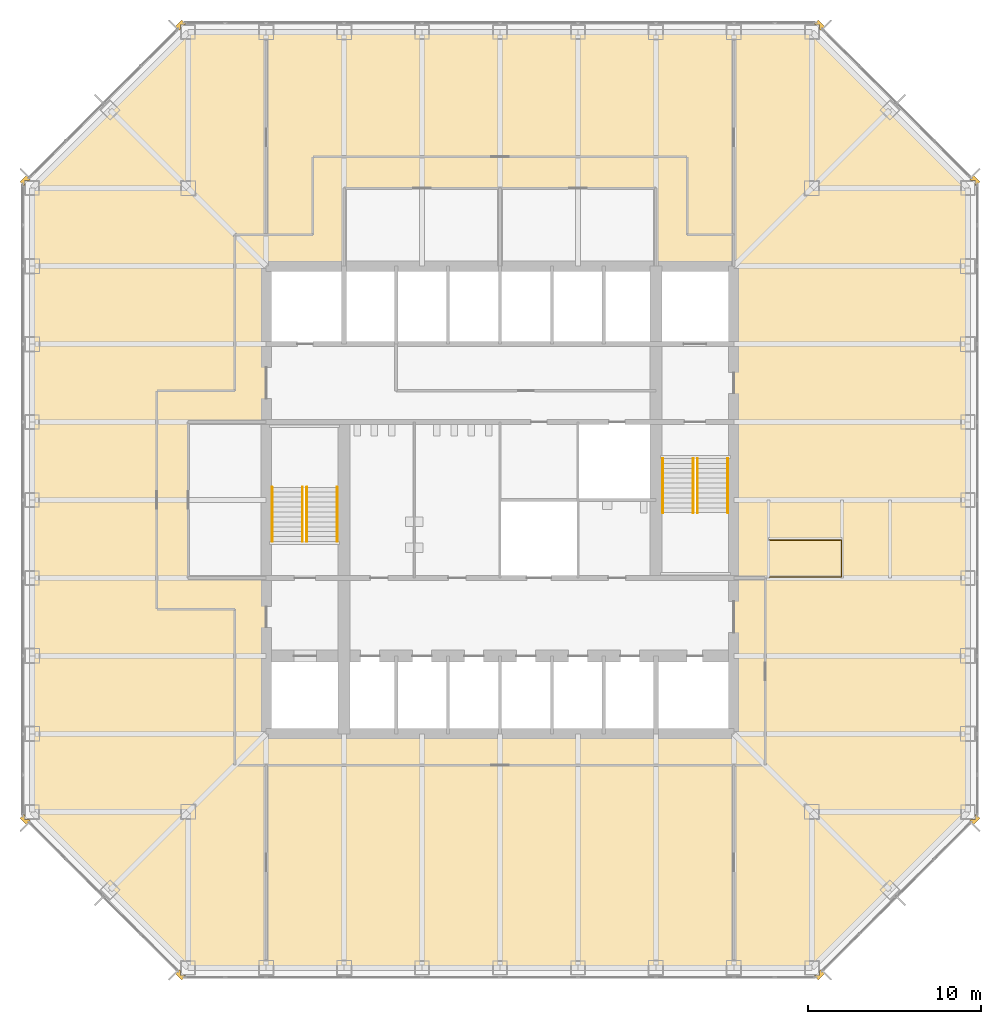
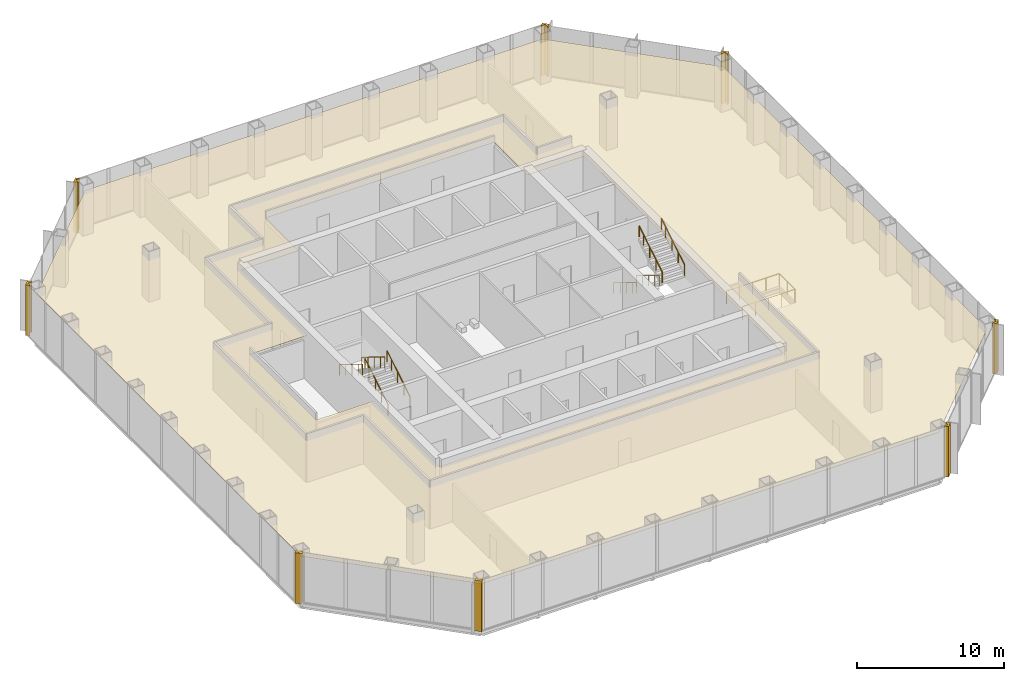
# One storey, part 11 of 12: 9 coverings, 9 railings.
"""IFC4 building model written with IfcOpenShell, lengths in metres."""

from ifc_helpers import new_model, si_unit, direction, frame, origin, origin_2d, place, context, subcontext, project, spatial, polyline, circle, outline, extrude, material, layer, layer_set, type_object, element, save


model = new_model("IFC4")

# Units and contexts
model_context = context("Model", 3, precision=1e-05, world=origin(), true_north=direction((0.0, 1.0)))
body_context = subcontext(model_context, "Body", "Model", "MODEL_VIEW")
ifc_project = project(units=[si_unit("LENGTHUNIT", "METRE"), si_unit("AREAUNIT", "SQUARE_METRE"), si_unit("VOLUMEUNIT", "CUBIC_METRE"), si_unit("PLANEANGLEUNIT", "RADIAN"), si_unit("MASSUNIT", "GRAM", prefix="KILO")], contexts=[model_context])

# Site, building, storey
site_placement = place(None, origin())
site = spatial("IfcSite", under=ifc_project, at=site_placement, CompositionType="ELEMENT")
building_placement = place(site_placement, origin())
building = spatial("IfcBuilding", under=site, at=building_placement, Name="Corais Broadcast Tower", CompositionType="ELEMENT")
storey_placement = place(building_placement, frame((0.0, 0.0, 41.60009765625)))
storey = spatial("IfcBuildingStorey", under=building, at=storey_placement, Name="L08", CompositionType="ELEMENT", Elevation=41.60009765625)

# Railings
ifc_material_1 = material(Name="Laminated glass and stainless steel guard", Category="steel")
railing_type_1 = type_object("IfcRailingType", Name="Glass guard 1100", PredefinedType="GUARDRAIL", material=ifc_material_1)
railing_placement = place(storey_placement, frame((42.550048828125, 22.550048828125, 0.0)))
element("IfcRailing", 1, at=railing_placement, inside=storey, type_object=railing_type_1, Name="GR1 guard L08", PredefinedType="GUARDRAIL", context=body_context, shape_type="SweptSolid", body=[
    extrude(circle(Radius=0.02392578125, at=origin_2d()), frame((0.0, 0.0, 1.076171875), z_axis=(1.0, 0.0, 0.0), x_axis=(0.0, 1.0, 0.0)), (0.0, 0.0, 1.0), 4.14990234375),
    extrude(circle(Radius=0.02392578125, at=origin_2d()), frame((4.14990234375, 0.0, 1.076171875), z_axis=(0.0, 1.0, 0.0), x_axis=(-1.0, 0.0, 0.0)), (0.0, 0.0, 1.0), 2.14990234375),
    extrude(circle(Radius=0.02392578125, at=origin_2d()), frame((4.14990234375, 2.14990234375, 1.076171875), z_axis=(-1.0, 0.0, 0.0), x_axis=(0.0, -1.0, 0.0)), (0.0, 0.0, 1.0), 4.14990234375),
    extrude(circle(Radius=0.02099609375, at=origin_2d()), origin(), (0.0, 0.0, 1.0), 1.052001953125),
    extrude(circle(Radius=0.02099609375, at=origin_2d()), frame((1.03759765625, 0.0, 0.0)), (0.0, 0.0, 1.0), 1.052001953125),
    extrude(circle(Radius=0.02099609375, at=origin_2d()), frame((2.074951171875, 0.0, 0.0)), (0.0, 0.0, 1.0), 1.052001953125),
    extrude(circle(Radius=0.02099609375, at=origin_2d()), frame((3.1123046875, 0.0, 0.0)), (0.0, 0.0, 1.0), 1.052001953125),
    extrude(circle(Radius=0.02099609375, at=origin_2d()), frame((4.14990234375, 0.0, 0.0)), (0.0, 0.0, 1.0), 1.052001953125),
    extrude(circle(Radius=0.02099609375, at=origin_2d()), frame((4.14990234375, 1.074951171875, 0.0)), (0.0, 0.0, 1.0), 1.052001953125),
    extrude(circle(Radius=0.02099609375, at=origin_2d()), frame((4.14990234375, 2.14990234375, 0.0)), (0.0, 0.0, 1.0), 1.052001953125),
    extrude(circle(Radius=0.02099609375, at=origin_2d()), frame((3.1123046875, 2.14990234375, 0.0)), (0.0, 0.0, 1.0), 1.052001953125),
    extrude(circle(Radius=0.02099609375, at=origin_2d()), frame((2.074951171875, 2.14990234375, 0.0)), (0.0, 0.0, 1.0), 1.052001953125),
    extrude(circle(Radius=0.02099609375, at=origin_2d()), frame((1.03759765625, 2.14990234375, 0.0)), (0.0, 0.0, 1.0), 1.052001953125),
    extrude(circle(Radius=0.02099609375, at=origin_2d()), frame((0.0, 2.14990234375, 0.0)), (0.0, 0.0, 1.0), 1.052001953125),
])
ifc_material_2 = material(Name="Stainless steel handrail", Category="steel")
railing_type_2 = type_object("IfcRailingType", Name="Handrail 920", PredefinedType="HANDRAIL", material=ifc_material_2)
for number, where, name in (
    (2, (17.60009765625, 24.60009765625, 0.1748046875), "HR1 L08"),
    (3, (15.85009765625, 24.60009765625, 0.1748046875), "HR1 L08"),
):
    element("IfcRailing", number, at=place(storey_placement, frame(where)), inside=storey, type_object=railing_type_2, Name=name, PredefinedType="HANDRAIL", context=body_context, shape_type="SweptSolid", body=[
        extrude(circle(Radius=0.02392578125, at=origin_2d()), frame((0.0, 0.0, 0.89599609375), z_axis=(0.0, 0.852166034122, 0.523271488128), x_axis=(-1.0, 0.0, 0.0)), (0.0, 0.0, 1.0), 3.678955078125),
        extrude(circle(Radius=0.02099609375, at=origin_2d()), origin(), (0.0, 0.0, 1.0), 0.871826171875),
        extrude(circle(Radius=0.02099609375, at=origin_2d()), frame((0.0, 0.85498046875, 0.52490234375)), (0.0, 0.0, 1.0), 0.871826171875),
        extrude(circle(Radius=0.02099609375, at=origin_2d()), frame((0.0, 1.7099609375, 1.050048828125)), (0.0, 0.0, 1.0), 0.871826171875),
        extrude(circle(Radius=0.02099609375, at=origin_2d()), frame((0.0, 2.56494140625, 1.574951171875)), (0.0, 0.0, 1.0), 0.871826171875),
        extrude(circle(Radius=0.02099609375, at=origin_2d()), frame((0.0, 3.135009765625, 1.925048828125)), (0.0, 0.0, 1.0), 0.871826171875),
    ])
for number, where, name in (
    (4, (13.85009765625, 27.735107421875, 2.27490234375), "HR1 L08"),
    (5, (15.60009765625, 27.735107421875, 2.27490234375), "HR1 L08"),
    (6, (36.39990234375, 29.39990234375, 0.1748046875), "HR1 L08"),
    (7, (38.14990234375, 29.39990234375, 0.1748046875), "HR1 L08"),
):
    element("IfcRailing", number, at=place(storey_placement, frame(where)), inside=storey, type_object=railing_type_2, Name=name, PredefinedType="HANDRAIL", context=body_context, shape_type="SweptSolid", body=[
        extrude(circle(Radius=0.02392578125, at=origin_2d()), frame((0.0, 0.0, 0.89599609375), z_axis=(0.0, -0.852166034122, 0.523271488128), x_axis=(1.0, 0.0, 0.0)), (0.0, 0.0, 1.0), 3.678955078125),
        extrude(circle(Radius=0.02099609375, at=origin_2d()), origin(), (0.0, 0.0, 1.0), 0.871826171875),
        extrude(circle(Radius=0.02099609375, at=origin_2d()), frame((0.0, -0.85498046875, 0.52490234375)), (0.0, 0.0, 1.0), 0.871826171875),
        extrude(circle(Radius=0.02099609375, at=origin_2d()), frame((0.0, -1.7099609375, 1.050048828125)), (0.0, 0.0, 1.0), 0.871826171875),
        extrude(circle(Radius=0.02099609375, at=origin_2d()), frame((0.0, -2.56494140625, 1.574951171875)), (0.0, 0.0, 1.0), 0.871826171875),
        extrude(circle(Radius=0.02099609375, at=origin_2d()), frame((0.0, -3.135009765625, 1.925048828125)), (0.0, 0.0, 1.0), 0.871826171875),
    ])
for number, where, name in (
    (8, (40.14990234375, 26.264892578125, 2.27490234375), "HR1 L08"),
    (9, (38.39990234375, 26.264892578125, 2.27490234375), "HR1 L08"),
):
    element("IfcRailing", number, at=place(storey_placement, frame(where)), inside=storey, type_object=railing_type_2, Name=name, PredefinedType="HANDRAIL", context=body_context, shape_type="SweptSolid", body=[
        extrude(circle(Radius=0.02392578125, at=origin_2d()), frame((0.0, 0.0, 0.89599609375), z_axis=(0.0, 0.852166034122, 0.523271488128), x_axis=(-1.0, 0.0, 0.0)), (0.0, 0.0, 1.0), 3.678955078125),
        extrude(circle(Radius=0.02099609375, at=origin_2d()), origin(), (0.0, 0.0, 1.0), 0.871826171875),
        extrude(circle(Radius=0.02099609375, at=origin_2d()), frame((0.0, 0.85498046875, 0.52490234375)), (0.0, 0.0, 1.0), 0.871826171875),
        extrude(circle(Radius=0.02099609375, at=origin_2d()), frame((0.0, 1.7099609375, 1.050048828125)), (0.0, 0.0, 1.0), 0.871826171875),
        extrude(circle(Radius=0.02099609375, at=origin_2d()), frame((0.0, 2.56494140625, 1.574951171875)), (0.0, 0.0, 1.0), 0.871826171875),
        extrude(circle(Radius=0.02099609375, at=origin_2d()), frame((0.0, 3.135009765625, 1.925048828125)), (0.0, 0.0, 1.0), 0.871826171875),
    ])

# Coverings
ifc_material_3 = material(Name="Granite stone cladding", Category="masonry")
ifc_layer_1 = layer(ifc_material_3, 0.324951171875)
ifc_layer_set_1 = layer_set([ifc_layer_1], Name="Granite stone cladding")
covering_type_1 = type_object("IfcCoveringType", Name="Stone corner pier cladding 500x325", PredefinedType="CLADDING", material=ifc_layer_set_1)
covering_1_placement = place(storey_placement, origin())
element("IfcCovering", 10, at=covering_1_placement, inside=storey, type_object=covering_type_1, Name="SP1 stone corner pier L08", PredefinedType="CLADDING", context=body_context, shape_type="SweptSolid", body=[
    extrude(outline(polyline([(8.860595703125, -0.461669921875), (8.84912109375, -0.449951171875), (8.550048828125, -0.449951171875), (8.550048828125, -0.15087890625), (8.507080078125, -0.108154296875), (8.277099609375, -0.337890625), (8.630859375, -0.69140625), (8.860595703125, -0.461669921875)])), origin(), (0.0, 0.0, 1.0), 4.199951171875),
])
covering_2_placement = place(storey_placement, origin())
element("IfcCovering", 11, at=covering_2_placement, inside=storey, type_object=covering_type_1, Name="SP1 stone corner pier L08", PredefinedType="CLADDING", context=body_context, shape_type="SweptSolid", body=[
    extrude(outline(polyline([(-0.449951171875, 8.84912109375), (-0.461669921875, 8.860595703125), (-0.69140625, 8.630859375), (-0.337890625, 8.277099609375), (-0.108154296875, 8.507080078125), (-0.15087890625, 8.550048828125), (-0.449951171875, 8.550048828125), (-0.449951171875, 8.84912109375)])), origin(), (0.0, 0.0, 1.0), 4.199951171875),
])
covering_3_placement = place(storey_placement, origin())
element("IfcCovering", 12, at=covering_3_placement, inside=storey, type_object=covering_type_1, Name="SP1 stone corner pier L08", PredefinedType="CLADDING", context=body_context, shape_type="SweptSolid", body=[
    extrude(outline(polyline([(-0.461669921875, 45.139404296875), (-0.449951171875, 45.15087890625), (-0.449951171875, 45.449951171875), (-0.15087890625, 45.449951171875), (-0.108154296875, 45.492919921875), (-0.337890625, 45.722900390625), (-0.69140625, 45.369140625), (-0.461669921875, 45.139404296875)])), origin(), (0.0, 0.0, 1.0), 4.199951171875),
])
covering_4_placement = place(storey_placement, origin())
element("IfcCovering", 13, at=covering_4_placement, inside=storey, type_object=covering_type_1, Name="SP1 stone corner pier L08", PredefinedType="CLADDING", context=body_context, shape_type="SweptSolid", body=[
    extrude(outline(polyline([(8.84912109375, 54.449951171875), (8.860595703125, 54.461669921875), (8.630859375, 54.69140625), (8.277099609375, 54.337890625), (8.507080078125, 54.108154296875), (8.550048828125, 54.15087890625), (8.550048828125, 54.449951171875), (8.84912109375, 54.449951171875)])), origin(), (0.0, 0.0, 1.0), 4.199951171875),
])
covering_5_placement = place(storey_placement, origin())
element("IfcCovering", 14, at=covering_5_placement, inside=storey, type_object=covering_type_1, Name="SP1 stone corner pier L08", PredefinedType="CLADDING", context=body_context, shape_type="SweptSolid", body=[
    extrude(outline(polyline([(45.139404296875, 54.461669921875), (45.15087890625, 54.449951171875), (45.449951171875, 54.449951171875), (45.449951171875, 54.15087890625), (45.492919921875, 54.108154296875), (45.722900390625, 54.337890625), (45.369140625, 54.69140625), (45.139404296875, 54.461669921875)])), origin(), (0.0, 0.0, 1.0), 4.199951171875),
])
covering_6_placement = place(storey_placement, origin())
element("IfcCovering", 15, at=covering_6_placement, inside=storey, type_object=covering_type_1, Name="SP1 stone corner pier L08", PredefinedType="CLADDING", context=body_context, shape_type="SweptSolid", body=[
    extrude(outline(polyline([(54.449951171875, 45.15087890625), (54.461669921875, 45.139404296875), (54.69140625, 45.369140625), (54.337890625, 45.722900390625), (54.108154296875, 45.492919921875), (54.15087890625, 45.449951171875), (54.449951171875, 45.449951171875), (54.449951171875, 45.15087890625)])), origin(), (0.0, 0.0, 1.0), 4.199951171875),
])
covering_7_placement = place(storey_placement, origin())
element("IfcCovering", 16, at=covering_7_placement, inside=storey, type_object=covering_type_1, Name="SP1 stone corner pier L08", PredefinedType="CLADDING", context=body_context, shape_type="SweptSolid", body=[
    extrude(outline(polyline([(54.461669921875, 8.860595703125), (54.449951171875, 8.84912109375), (54.449951171875, 8.550048828125), (54.15087890625, 8.550048828125), (54.108154296875, 8.507080078125), (54.337890625, 8.277099609375), (54.69140625, 8.630859375), (54.461669921875, 8.860595703125)])), origin(), (0.0, 0.0, 1.0), 4.199951171875),
])
covering_8_placement = place(storey_placement, origin())
element("IfcCovering", 17, at=covering_8_placement, inside=storey, type_object=covering_type_1, Name="SP1 stone corner pier L08", PredefinedType="CLADDING", context=body_context, shape_type="SweptSolid", body=[
    extrude(outline(polyline([(45.15087890625, -0.449951171875), (45.139404296875, -0.461669921875), (45.369140625, -0.69140625), (45.722900390625, -0.337890625), (45.492919921875, -0.108154296875), (45.449951171875, -0.15087890625), (45.449951171875, -0.449951171875), (45.15087890625, -0.449951171875)])), origin(), (0.0, 0.0, 1.0), 4.199951171875),
])
ifc_material_4 = material(Name="Mineral fibre ceiling tile", Category="mineral")
ifc_layer_2 = layer(ifc_material_4, 0.02001953125)
ifc_layer_set_2 = layer_set([ifc_layer_2], Name="Mineral fibre ceiling tile")
covering_type_2 = type_object("IfcCoveringType", Name="Suspended ceiling", PredefinedType="CEILING", material=ifc_layer_set_2)
covering_9_placement = place(storey_placement, frame((0.0, 0.0, 3.419921875)))
element("IfcCovering", 18, at=covering_9_placement, inside=storey, type_object=covering_type_2, Name="CE1 ceiling L08", PredefinedType="CEILING", context=body_context, shape_type="SweptSolid", body=[
    extrude(outline(polyline([(9.0, 0.0), (0.0, 9.0), (0.0, 45.0), (9.0, 54.0), (45.0, 54.0), (54.0, 45.0), (54.0, 9.0), (45.0, 0.0), (9.0, 0.0)]), holes=[polyline([(40.5, 40.5), (36.0, 40.5), (36.0, 45.0), (18.0, 45.0), (18.0, 40.5), (13.5, 40.5), (13.5, 31.5), (9.0, 31.5), (9.0, 22.5), (13.5, 22.5), (13.5, 13.5), (40.5, 13.5), (40.5, 40.5)])]), origin(), (0.0, 0.0, 1.0), 0.02001953125),
])

save(model, "model.ifc")
